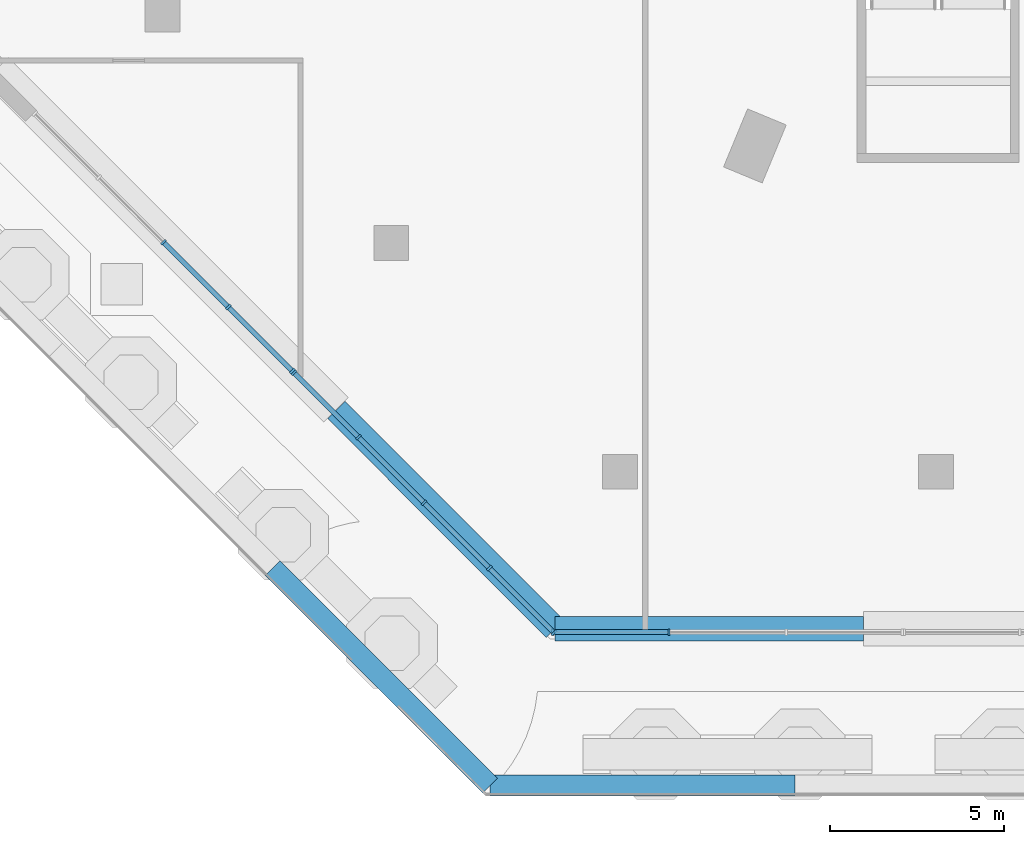
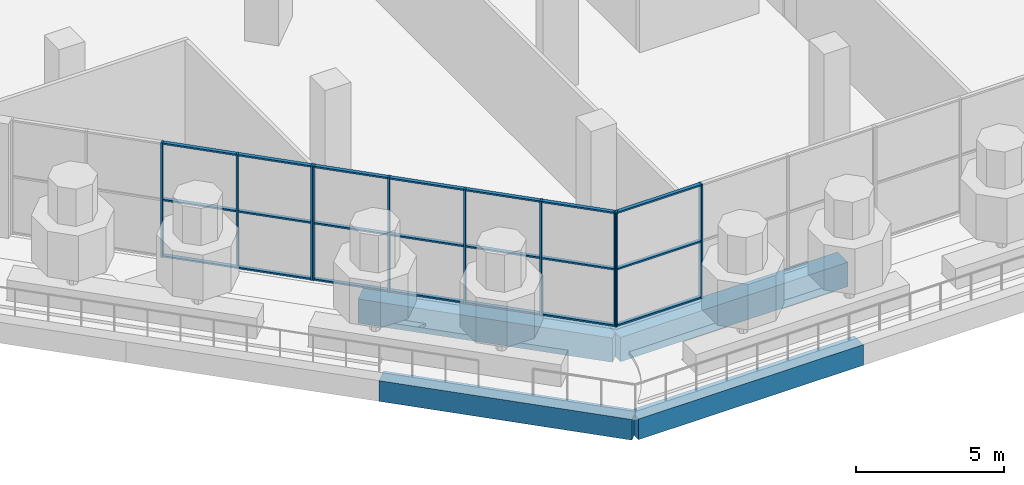
# One storey, part 2 of 32: 31 members, 4 beams, 3 elements without a shape of their own.
"""IFC4 building model written with IfcOpenShell, lengths in metres."""

from ifc_helpers import new_model, si_unit, direction, frame, origin, origin_2d, place, context, subcontext, project, spatial, rectangle, extrude, material, material_profile, profile_set, type_object, element, aggregate, save


model = new_model("IFC4")

# Units and contexts
model_context = context("Model", 3, precision=1e-05, world=origin(), true_north=direction((0.0, 1.0)))
body_context = subcontext(model_context, "Body", "Model", "MODEL_VIEW")
ifc_project = project(units=[si_unit("LENGTHUNIT", "METRE"), si_unit("AREAUNIT", "SQUARE_METRE"), si_unit("VOLUMEUNIT", "CUBIC_METRE"), si_unit("PLANEANGLEUNIT", "RADIAN"), si_unit("MASSUNIT", "GRAM", prefix="KILO")], contexts=[model_context])

# Site, building, storey
site_placement = place(None, origin())
site = spatial("IfcSite", under=ifc_project, at=site_placement, CompositionType="ELEMENT")
building_placement = place(site_placement, origin())
building = spatial("IfcBuilding", under=site, at=building_placement, Name="Msitu Wima Residences", CompositionType="ELEMENT")
storey_placement = place(building_placement, frame((0.0, 0.0, 6.0)))
storey = spatial("IfcBuildingStorey", under=building, at=storey_placement, Name="L01", CompositionType="ELEMENT", Elevation=6.0)

# Curtain wall, members
ifc_material_1 = material(Name="Anodised aluminium, bronze finish, clear low-emissivity double glazing", Category="aluminium")
curtain_wall_type = type_object("IfcCurtainWallType", Name="Curtain wall CW5 retail shopfront", PredefinedType="NOTDEFINED", material=ifc_material_1)
curtain_wall_1_placement = place(storey_placement, origin())
curtain_wall_1 = element("IfcCurtainWall", 1, at=curtain_wall_1_placement, inside=storey, type_object=curtain_wall_type, Name="Curtain wall CW5 L01 SW1", PredefinedType="NOTDEFINED")
ifc_material_2 = material(Name="Anodised aluminium, bronze finish", Category="aluminium")
ifc_material_profile_1 = material_profile(ifc_material_2, rectangle(XDim=0.179931640625, YDim=0.06494140625, at=origin_2d()), Name="Mullion 65x180")
ifc_profile_set_1 = profile_set([ifc_material_profile_1], Name="Anodised aluminium, bronze finish")
member_type_1 = type_object("IfcMemberType", Name="Mullion CW5 65x180", PredefinedType="MULLION", material=ifc_profile_set_1)
member_1_placement = place(storey_placement, frame((-31.216552734375, -31.216552734375, 0.0), z_axis=(0.0, 0.0, 1.0), x_axis=(0.707106781187, 0.707106781187, 0.0)))
member_1 = element("IfcMember", 2, at=member_1_placement, type_object=member_type_1, Name="CW5 mullion 3", PredefinedType="MULLION", context=body_context, shape_type="SweptSolid", body=[
    extrude(rectangle(XDim=0.179931640625, YDim=0.06494140625, at=origin_2d()), origin(), (0.0, 0.0, 1.0), 4.699951171875),
])
member_2_placement = place(storey_placement, frame((-29.357666015625, -33.07568359375, 0.0), z_axis=(0.0, 0.0, 1.0), x_axis=(0.707106781187, 0.707106781187, 0.0)))
member_2 = element("IfcMember", 3, at=member_2_placement, type_object=member_type_1, Name="CW5 mullion 4", PredefinedType="MULLION", context=body_context, shape_type="SweptSolid", body=[
    extrude(rectangle(XDim=0.179931640625, YDim=0.06494140625, at=origin_2d()), origin(), (0.0, 0.0, 1.0), 4.699951171875),
])
member_3_placement = place(storey_placement, frame((-27.521728515625, -34.91162109375, 0.0), z_axis=(0.0, 0.0, 1.0), x_axis=(0.707106781187, 0.707106781187, 0.0)))
member_3 = element("IfcMember", 4, at=member_3_placement, type_object=member_type_1, Name="CW5 mullion 5", PredefinedType="MULLION", context=body_context, shape_type="SweptSolid", body=[
    extrude(rectangle(XDim=0.179931640625, YDim=0.06494140625, at=origin_2d()), origin(), (0.0, 0.0, 1.0), 4.699951171875),
])

curtain_wall_2_placement = place(storey_placement, origin())
curtain_wall_2 = element("IfcCurtainWall", 5, at=curtain_wall_2_placement, inside=storey, type_object=curtain_wall_type, Name="Curtain wall CW5 L01 SW2", PredefinedType="NOTDEFINED")
member_4_placement = place(storey_placement, frame((-27.4755859375, -34.957763671875, 0.0), z_axis=(0.0, 0.0, 1.0), x_axis=(0.707106781187, 0.707106781187, 0.0)))
member_4 = element("IfcMember", 6, at=member_4_placement, type_object=member_type_1, Name="CW5 mullion 1", PredefinedType="MULLION", context=body_context, shape_type="SweptSolid", body=[
    extrude(rectangle(XDim=0.179931640625, YDim=0.06494140625, at=origin_2d()), origin(), (0.0, 0.0, 1.0), 4.699951171875),
])
member_5_placement = place(storey_placement, frame((-25.623046875, -36.81005859375, 0.0), z_axis=(0.0, 0.0, 1.0), x_axis=(0.707106781187, 0.707106781187, 0.0)))
member_5 = element("IfcMember", 7, at=member_5_placement, type_object=member_type_1, Name="CW5 mullion 2", PredefinedType="MULLION", context=body_context, shape_type="SweptSolid", body=[
    extrude(rectangle(XDim=0.179931640625, YDim=0.06494140625, at=origin_2d()), origin(), (0.0, 0.0, 1.0), 4.699951171875),
])
member_6_placement = place(storey_placement, frame((-23.74755859375, -38.685546875, 0.0), z_axis=(0.0, 0.0, 1.0), x_axis=(0.707106781187, 0.707106781187, 0.0)))
member_6 = element("IfcMember", 8, at=member_6_placement, type_object=member_type_1, Name="CW5 mullion 3", PredefinedType="MULLION", context=body_context, shape_type="SweptSolid", body=[
    extrude(rectangle(XDim=0.179931640625, YDim=0.06494140625, at=origin_2d()), origin(), (0.0, 0.0, 1.0), 4.699951171875),
])
member_7_placement = place(storey_placement, frame((-21.8720703125, -40.56103515625, 0.0), z_axis=(0.0, 0.0, 1.0), x_axis=(0.707106781187, 0.707106781187, 0.0)))
member_7 = element("IfcMember", 9, at=member_7_placement, type_object=member_type_1, Name="CW5 mullion 4", PredefinedType="MULLION", context=body_context, shape_type="SweptSolid", body=[
    extrude(rectangle(XDim=0.179931640625, YDim=0.06494140625, at=origin_2d()), origin(), (0.0, 0.0, 1.0), 4.699951171875),
])
member_8_placement = place(storey_placement, frame((-20.019775390625, -42.41357421875, 0.0), z_axis=(0.0, 0.0, 1.0), x_axis=(0.707106781187, 0.707106781187, 0.0)))
member_8 = element("IfcMember", 10, at=member_8_placement, type_object=member_type_1, Name="CW5 mullion 5", PredefinedType="MULLION", context=body_context, shape_type="SweptSolid", body=[
    extrude(rectangle(XDim=0.179931640625, YDim=0.06494140625, at=origin_2d()), origin(), (0.0, 0.0, 1.0), 4.699951171875),
])

curtain_wall_3_placement = place(storey_placement, origin())
curtain_wall_3 = element("IfcCurtainWall", 11, at=curtain_wall_3_placement, inside=storey, type_object=curtain_wall_type, Name="Curtain wall CW5 L01 S0", PredefinedType="NOTDEFINED")
member_9_placement = place(storey_placement, frame((-20.052490234375, -42.39990234375, 0.0), z_axis=(0.0, 0.0, 1.0), x_axis=(0.0, 1.0, 0.0)))
member_9 = element("IfcMember", 12, at=member_9_placement, type_object=member_type_1, Name="CW5 mullion 1", PredefinedType="MULLION", context=body_context, shape_type="SweptSolid", body=[
    extrude(rectangle(XDim=0.179931640625, YDim=0.06494140625, at=origin_2d()), origin(), (0.0, 0.0, 1.0), 4.699951171875),
])
member_10_placement = place(storey_placement, frame((-16.721923828125, -42.39990234375, 0.0), z_axis=(0.0, 0.0, 1.0), x_axis=(0.0, 1.0, 0.0)))
member_10 = element("IfcMember", 13, at=member_10_placement, type_object=member_type_1, Name="CW5 mullion 2", PredefinedType="MULLION", context=body_context, shape_type="SweptSolid", body=[
    extrude(rectangle(XDim=0.179931640625, YDim=0.06494140625, at=origin_2d()), origin(), (0.0, 0.0, 1.0), 4.699951171875),
])

# Beams
ifc_material_3 = material(Name="Concrete C60/75", Category="concrete")
ifc_material_profile_2 = material_profile(ifc_material_3, rectangle(XDim=0.60009765625, YDim=0.85009765625, at=origin_2d()), Name="RC 600x850")
ifc_profile_set_2 = profile_set([ifc_material_profile_2], Name="Concrete C60/75")
beam_type_1 = type_object("IfcBeamType", Name="Terrace beam RC 600x850 Concrete C60/75", PredefinedType="BEAM", material=ifc_profile_set_2)
beam_1_placement = place(storey_placement, frame((-28.091796875, -40.56396484375, -0.77490234375), z_axis=(0.707092939282, -0.70712062282, 0.0), x_axis=(0.70712062282, 0.707092939282, 0.0)))
element("IfcBeam", 14, at=beam_1_placement, inside=storey, type_object=beam_type_1, Name="Terrace edge beam L00 C-SW3", PredefinedType="BEAM", context=body_context, shape_type="SweptSolid", body=[
    extrude(rectangle(XDim=0.60009765625, YDim=0.85009765625, at=origin_2d()), origin(), (0.0, 0.0, 1.0), 8.819091796875),
])
beam_2_placement = place(storey_placement, frame((-21.85595703125, -46.800048828125, -0.77490234375), z_axis=(1.0, 0.0, 0.0), x_axis=(0.0, 1.0, 0.0)))
element("IfcBeam", 15, at=beam_2_placement, inside=storey, type_object=beam_type_1, Name="Terrace edge beam L00 C-S0", PredefinedType="BEAM", context=body_context, shape_type="SweptSolid", body=[
    extrude(rectangle(XDim=0.60009765625, YDim=0.85009765625, at=origin_2d()), origin(), (0.0, 0.0, 1.0), 8.742431640625),
])
ifc_material_profile_3 = material_profile(ifc_material_3, rectangle(XDim=0.699951171875, YDim=1.0, at=origin_2d()), Name="RC 700x1000")
ifc_profile_set_3 = profile_set([ifc_material_profile_3], Name="Concrete C60/75")
beam_type_2 = type_object("IfcBeamType", Name="Terrace beam RC 700x1000 Concrete C60/75", PredefinedType="BEAM", material=ifc_profile_set_3)
beam_3_placement = place(storey_placement, frame((-26.267822265625, -36.02392578125, -0.85009765625), z_axis=(0.70709302759, -0.707120534516, 0.0), x_axis=(0.707120534516, 0.70709302759, 0.0)))
element("IfcBeam", 16, at=beam_3_placement, inside=storey, type_object=beam_type_2, Name="Terrace upstand-line beam L01 T4", PredefinedType="BEAM", context=body_context, shape_type="SweptSolid", body=[
    extrude(rectangle(XDim=0.699951171875, YDim=1.0, at=origin_2d()), origin(), (0.0, 0.0, 1.0), 8.87548828125),
])
beam_4_placement = place(storey_placement, frame((-19.991943359375, -42.300048828125, -0.85009765625), z_axis=(1.0, 0.0, 0.0), x_axis=(0.0, 1.0, 0.0)))
element("IfcBeam", 17, at=beam_4_placement, inside=storey, type_object=beam_type_2, Name="Terrace upstand-line beam L01 T5", PredefinedType="BEAM", context=body_context, shape_type="SweptSolid", body=[
    extrude(rectangle(XDim=0.699951171875, YDim=1.0, at=origin_2d()), origin(), (0.0, 0.0, 1.0), 8.847900390625),
])

# Member
ifc_material_profile_4 = material_profile(ifc_material_2, rectangle(XDim=0.139892578125, YDim=0.06494140625, at=origin_2d()), Name="Transom 65x140")
ifc_profile_set_4 = profile_set([ifc_material_profile_4], Name="Anodised aluminium, bronze finish")
member_type_2 = type_object("IfcMemberType", Name="Transom CW5 65x140", PredefinedType="USERDEFINED", material=ifc_profile_set_4)
member_11_placement = place(storey_placement, frame((-31.193603515625, -31.23974609375, 0.032470703125), z_axis=(0.707106781187, -0.707106781187, 0.0), x_axis=(0.707106781187, 0.707106781187, 0.0)))
member_11 = element("IfcMember", 18, at=member_11_placement, type_object=member_type_2, Name="CW5 transom 3.1", ObjectType="TRANSOM", PredefinedType="USERDEFINED", context=body_context, shape_type="SweptSolid", body=[
    extrude(rectangle(XDim=0.139892578125, YDim=0.06494140625, at=origin_2d()), origin(), (0.0, 0.0, 1.0), 2.56396484375),
])

member_12_placement = place(storey_placement, frame((-31.193603515625, -31.23974609375, 2.35009765625), z_axis=(0.707106781187, -0.707106781187, 0.0), x_axis=(0.707106781187, 0.707106781187, 0.0)))
member_12 = element("IfcMember", 19, at=member_12_placement, type_object=member_type_2, Name="CW5 transom 3.2", ObjectType="TRANSOM", PredefinedType="USERDEFINED", context=body_context, shape_type="SweptSolid", body=[
    extrude(rectangle(XDim=0.139892578125, YDim=0.06494140625, at=origin_2d()), origin(), (0.0, 0.0, 1.0), 2.56396484375),
])

member_13_placement = place(storey_placement, frame((-31.193603515625, -31.23974609375, 4.66748046875), z_axis=(0.707106781187, -0.707106781187, 0.0), x_axis=(0.707106781187, 0.707106781187, 0.0)))
member_13 = element("IfcMember", 20, at=member_13_placement, type_object=member_type_2, Name="CW5 transom 3.3", ObjectType="TRANSOM", PredefinedType="USERDEFINED", context=body_context, shape_type="SweptSolid", body=[
    extrude(rectangle(XDim=0.139892578125, YDim=0.06494140625, at=origin_2d()), origin(), (0.0, 0.0, 1.0), 2.56396484375),
])

member_14_placement = place(storey_placement, frame((-29.334716796875, -33.0986328125, 0.032470703125), z_axis=(0.707106781187, -0.707106781187, 0.0), x_axis=(0.707106781187, 0.707106781187, 0.0)))
member_14 = element("IfcMember", 21, at=member_14_placement, type_object=member_type_2, Name="CW5 transom 4.1", ObjectType="TRANSOM", PredefinedType="USERDEFINED", context=body_context, shape_type="SweptSolid", body=[
    extrude(rectangle(XDim=0.139892578125, YDim=0.06494140625, at=origin_2d()), origin(), (0.0, 0.0, 1.0), 2.531494140625),
])

member_15_placement = place(storey_placement, frame((-29.334716796875, -33.0986328125, 2.35009765625), z_axis=(0.707106781187, -0.707106781187, 0.0), x_axis=(0.707106781187, 0.707106781187, 0.0)))
member_15 = element("IfcMember", 22, at=member_15_placement, type_object=member_type_2, Name="CW5 transom 4.2", ObjectType="TRANSOM", PredefinedType="USERDEFINED", context=body_context, shape_type="SweptSolid", body=[
    extrude(rectangle(XDim=0.139892578125, YDim=0.06494140625, at=origin_2d()), origin(), (0.0, 0.0, 1.0), 2.531494140625),
])

member_16_placement = place(storey_placement, frame((-29.334716796875, -33.0986328125, 4.66748046875), z_axis=(0.707106781187, -0.707106781187, 0.0), x_axis=(0.707106781187, 0.707106781187, 0.0)))
member_16 = element("IfcMember", 23, at=member_16_placement, type_object=member_type_2, Name="CW5 transom 4.3", ObjectType="TRANSOM", PredefinedType="USERDEFINED", context=body_context, shape_type="SweptSolid", body=[
    extrude(rectangle(XDim=0.139892578125, YDim=0.06494140625, at=origin_2d()), origin(), (0.0, 0.0, 1.0), 2.531494140625),
])

aggregate(curtain_wall_1, [member_1, member_2, member_3, member_11, member_12, member_13, member_14, member_15, member_16])

member_17_placement = place(storey_placement, frame((-27.45263671875, -34.980712890625, 0.032470703125), z_axis=(0.707106781187, -0.707106781187, 0.0), x_axis=(0.707106781187, 0.707106781187, 0.0)))
member_17 = element("IfcMember", 24, at=member_17_placement, type_object=member_type_2, Name="CW5 transom 1.1", ObjectType="TRANSOM", PredefinedType="USERDEFINED", context=body_context, shape_type="SweptSolid", body=[
    extrude(rectangle(XDim=0.139892578125, YDim=0.06494140625, at=origin_2d()), origin(), (0.0, 0.0, 1.0), 2.5546875),
])

member_18_placement = place(storey_placement, frame((-27.45263671875, -34.980712890625, 2.35009765625), z_axis=(0.707106781187, -0.707106781187, 0.0), x_axis=(0.707106781187, 0.707106781187, 0.0)))
member_18 = element("IfcMember", 25, at=member_18_placement, type_object=member_type_2, Name="CW5 transom 1.2", ObjectType="TRANSOM", PredefinedType="USERDEFINED", context=body_context, shape_type="SweptSolid", body=[
    extrude(rectangle(XDim=0.139892578125, YDim=0.06494140625, at=origin_2d()), origin(), (0.0, 0.0, 1.0), 2.5546875),
])

member_19_placement = place(storey_placement, frame((-27.45263671875, -34.980712890625, 4.66748046875), z_axis=(0.707106781187, -0.707106781187, 0.0), x_axis=(0.707106781187, 0.707106781187, 0.0)))
member_19 = element("IfcMember", 26, at=member_19_placement, type_object=member_type_2, Name="CW5 transom 1.3", ObjectType="TRANSOM", PredefinedType="USERDEFINED", context=body_context, shape_type="SweptSolid", body=[
    extrude(rectangle(XDim=0.139892578125, YDim=0.06494140625, at=origin_2d()), origin(), (0.0, 0.0, 1.0), 2.5546875),
])

member_20_placement = place(storey_placement, frame((-25.60009765625, -36.833251953125, 0.032470703125), z_axis=(0.707106781187, -0.707106781187, 0.0), x_axis=(0.707106781187, 0.707106781187, 0.0)))
member_20 = element("IfcMember", 27, at=member_20_placement, type_object=member_type_2, Name="CW5 transom 2.1", ObjectType="TRANSOM", PredefinedType="USERDEFINED", context=body_context, shape_type="SweptSolid", body=[
    extrude(rectangle(XDim=0.139892578125, YDim=0.06494140625, at=origin_2d()), origin(), (0.0, 0.0, 1.0), 2.587158203125),
])

member_21_placement = place(storey_placement, frame((-25.60009765625, -36.833251953125, 2.35009765625), z_axis=(0.707106781187, -0.707106781187, 0.0), x_axis=(0.707106781187, 0.707106781187, 0.0)))
member_21 = element("IfcMember", 28, at=member_21_placement, type_object=member_type_2, Name="CW5 transom 2.2", ObjectType="TRANSOM", PredefinedType="USERDEFINED", context=body_context, shape_type="SweptSolid", body=[
    extrude(rectangle(XDim=0.139892578125, YDim=0.06494140625, at=origin_2d()), origin(), (0.0, 0.0, 1.0), 2.587158203125),
])

member_22_placement = place(storey_placement, frame((-25.60009765625, -36.833251953125, 4.66748046875), z_axis=(0.707106781187, -0.707106781187, 0.0), x_axis=(0.707106781187, 0.707106781187, 0.0)))
member_22 = element("IfcMember", 29, at=member_22_placement, type_object=member_type_2, Name="CW5 transom 2.3", ObjectType="TRANSOM", PredefinedType="USERDEFINED", context=body_context, shape_type="SweptSolid", body=[
    extrude(rectangle(XDim=0.139892578125, YDim=0.06494140625, at=origin_2d()), origin(), (0.0, 0.0, 1.0), 2.587158203125),
])

member_23_placement = place(storey_placement, frame((-23.724609375, -38.708740234375, 0.032470703125), z_axis=(0.707106781187, -0.707106781187, 0.0), x_axis=(0.707106781187, 0.707106781187, 0.0)))
member_23 = element("IfcMember", 30, at=member_23_placement, type_object=member_type_2, Name="CW5 transom 3.1", ObjectType="TRANSOM", PredefinedType="USERDEFINED", context=body_context, shape_type="SweptSolid", body=[
    extrude(rectangle(XDim=0.139892578125, YDim=0.06494140625, at=origin_2d()), origin(), (0.0, 0.0, 1.0), 2.587158203125),
])

member_24_placement = place(storey_placement, frame((-23.724609375, -38.708740234375, 2.35009765625), z_axis=(0.707106781187, -0.707106781187, 0.0), x_axis=(0.707106781187, 0.707106781187, 0.0)))
member_24 = element("IfcMember", 31, at=member_24_placement, type_object=member_type_2, Name="CW5 transom 3.2", ObjectType="TRANSOM", PredefinedType="USERDEFINED", context=body_context, shape_type="SweptSolid", body=[
    extrude(rectangle(XDim=0.139892578125, YDim=0.06494140625, at=origin_2d()), origin(), (0.0, 0.0, 1.0), 2.587158203125),
])

member_25_placement = place(storey_placement, frame((-23.724609375, -38.708740234375, 4.66748046875), z_axis=(0.707106781187, -0.707106781187, 0.0), x_axis=(0.707106781187, 0.707106781187, 0.0)))
member_25 = element("IfcMember", 32, at=member_25_placement, type_object=member_type_2, Name="CW5 transom 3.3", ObjectType="TRANSOM", PredefinedType="USERDEFINED", context=body_context, shape_type="SweptSolid", body=[
    extrude(rectangle(XDim=0.139892578125, YDim=0.06494140625, at=origin_2d()), origin(), (0.0, 0.0, 1.0), 2.587158203125),
])

member_26_placement = place(storey_placement, frame((-21.84912109375, -40.584228515625, 0.032470703125), z_axis=(0.707106781187, -0.707106781187, 0.0), x_axis=(0.707106781187, 0.707106781187, 0.0)))
member_26 = element("IfcMember", 33, at=member_26_placement, type_object=member_type_2, Name="CW5 transom 4.1", ObjectType="TRANSOM", PredefinedType="USERDEFINED", context=body_context, shape_type="SweptSolid", body=[
    extrude(rectangle(XDim=0.139892578125, YDim=0.06494140625, at=origin_2d()), origin(), (0.0, 0.0, 1.0), 2.5546875),
])

member_27_placement = place(storey_placement, frame((-21.84912109375, -40.584228515625, 2.35009765625), z_axis=(0.707106781187, -0.707106781187, 0.0), x_axis=(0.707106781187, 0.707106781187, 0.0)))
member_27 = element("IfcMember", 34, at=member_27_placement, type_object=member_type_2, Name="CW5 transom 4.2", ObjectType="TRANSOM", PredefinedType="USERDEFINED", context=body_context, shape_type="SweptSolid", body=[
    extrude(rectangle(XDim=0.139892578125, YDim=0.06494140625, at=origin_2d()), origin(), (0.0, 0.0, 1.0), 2.5546875),
])

member_28_placement = place(storey_placement, frame((-21.84912109375, -40.584228515625, 4.66748046875), z_axis=(0.707106781187, -0.707106781187, 0.0), x_axis=(0.707106781187, 0.707106781187, 0.0)))
member_28 = element("IfcMember", 35, at=member_28_placement, type_object=member_type_2, Name="CW5 transom 4.3", ObjectType="TRANSOM", PredefinedType="USERDEFINED", context=body_context, shape_type="SweptSolid", body=[
    extrude(rectangle(XDim=0.139892578125, YDim=0.06494140625, at=origin_2d()), origin(), (0.0, 0.0, 1.0), 2.5546875),
])

aggregate(curtain_wall_2, [member_4, member_5, member_6, member_7, member_8, member_17, member_18, member_19, member_20, member_21, member_22, member_23, member_24, member_25, member_26, member_27, member_28])

member_29_placement = place(storey_placement, frame((-20.02001953125, -42.39990234375, 0.032470703125), z_axis=(1.0, 0.0, 0.0), x_axis=(0.0, 1.0, 0.0)))
member_29 = element("IfcMember", 36, at=member_29_placement, type_object=member_type_2, Name="CW5 transom 1.1", ObjectType="TRANSOM", PredefinedType="USERDEFINED", context=body_context, shape_type="SweptSolid", body=[
    extrude(rectangle(XDim=0.139892578125, YDim=0.06494140625, at=origin_2d()), origin(), (0.0, 0.0, 1.0), 3.265380859375),
])

member_30_placement = place(storey_placement, frame((-20.02001953125, -42.39990234375, 2.35009765625), z_axis=(1.0, 0.0, 0.0), x_axis=(0.0, 1.0, 0.0)))
member_30 = element("IfcMember", 37, at=member_30_placement, type_object=member_type_2, Name="CW5 transom 1.2", ObjectType="TRANSOM", PredefinedType="USERDEFINED", context=body_context, shape_type="SweptSolid", body=[
    extrude(rectangle(XDim=0.139892578125, YDim=0.06494140625, at=origin_2d()), origin(), (0.0, 0.0, 1.0), 3.265380859375),
])

member_31_placement = place(storey_placement, frame((-20.02001953125, -42.39990234375, 4.66748046875), z_axis=(1.0, 0.0, 0.0), x_axis=(0.0, 1.0, 0.0)))
member_31 = element("IfcMember", 38, at=member_31_placement, type_object=member_type_2, Name="CW5 transom 1.3", ObjectType="TRANSOM", PredefinedType="USERDEFINED", context=body_context, shape_type="SweptSolid", body=[
    extrude(rectangle(XDim=0.139892578125, YDim=0.06494140625, at=origin_2d()), origin(), (0.0, 0.0, 1.0), 3.265380859375),
])

aggregate(curtain_wall_3, [member_9, member_10, member_29, member_30, member_31])

save(model, "model.ifc")
